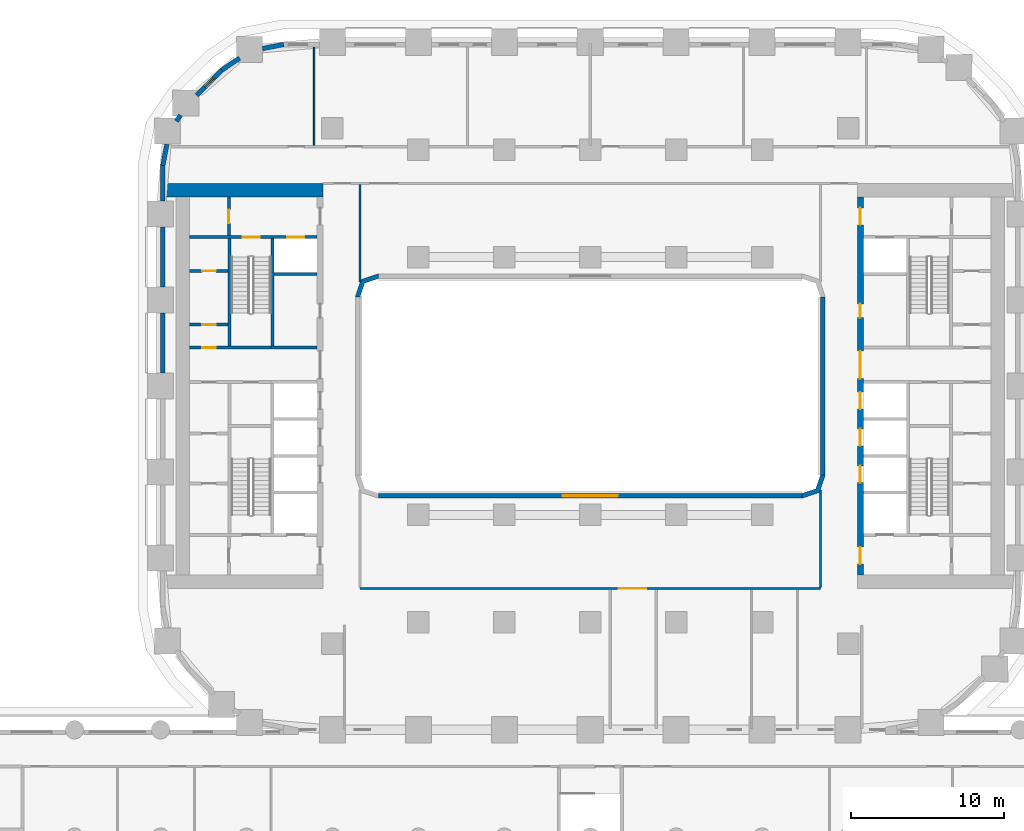
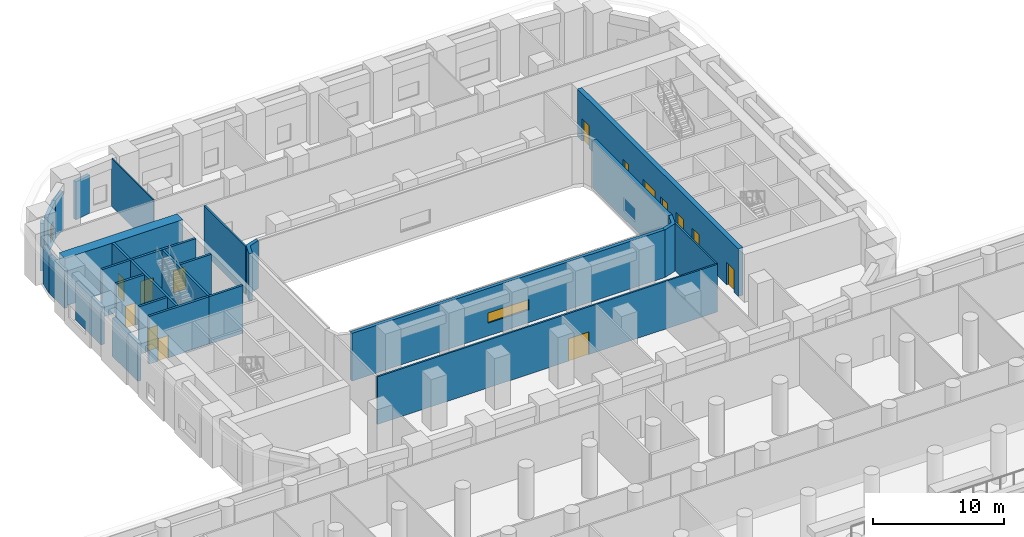
# One storey, part 11 of 24: 27 walls, 14 doors, 2 windows, 16 openings.
"""IFC4 building model written with IfcOpenShell, lengths in metres."""

from ifc_helpers import new_model, si_unit, direction, frame, frame_2d, origin, place, context, subcontext, project, spatial, polyline, rectangle, outline, extrude, material, layer, layer_set, type_object, element, fill, save


model = new_model("IFC4")

# Units and contexts
model_context = context("Model", 3, precision=1e-05, world=origin(), true_north=direction((0.0, 1.0)))
body_context = subcontext(model_context, "Body", "Model", "MODEL_VIEW")
ifc_project = project(units=[si_unit("LENGTHUNIT", "METRE"), si_unit("AREAUNIT", "SQUARE_METRE"), si_unit("VOLUMEUNIT", "CUBIC_METRE"), si_unit("PLANEANGLEUNIT", "RADIAN"), si_unit("MASSUNIT", "GRAM", prefix="KILO")], contexts=[model_context])

# Site, building, storey
site_placement = place(None, origin())
site = spatial("IfcSite", under=ifc_project, at=site_placement, CompositionType="ELEMENT")
building_placement = place(site_placement, origin())
building = spatial("IfcBuilding", under=site, at=building_placement, Name="Kiln Ring Residences", CompositionType="ELEMENT")
storey_placement = place(building_placement, frame((0.0, 0.0, 11.300048828125)))
storey = spatial("IfcBuildingStorey", under=building, at=storey_placement, Name="L02", CompositionType="ELEMENT", Elevation=11.300048828125)

# Wall, opening, door
ifc_material_1 = material(Name="Gypsum board on steel studs", Category="steel")
ifc_layer_1 = layer(ifc_material_1, 0.199951171875)
ifc_layer_set_1 = layer_set([ifc_layer_1], Name="CORE-PARTITION-200")
wall_type_1 = type_object("IfcWallType", Name="CORE-PARTITION-200", PredefinedType="PARTITIONING", material=ifc_layer_set_1)
wall_1_placement = place(storey_placement, frame((-23.550048828125, 9.800048828125, 0.0), z_axis=(0.0, 0.0, 1.0), x_axis=(0.0, 1.0, 0.0)))
wall_1 = element("IfcWall", 1, at=wall_1_placement, inside=storey, type_object=wall_type_1, Name="Core partition west L02 3", PredefinedType="PARTITIONING", context=body_context, shape_type="SweptSolid", body=[
    extrude(rectangle(XDim=2.5, YDim=0.199951171875, at=frame_2d((1.25, 0.0))), origin(), (0.0, 0.0, 1.0), 4.449951171875),
])
opening_1_placement = place(wall_1_placement, frame((0.800048828125, 0.0, 0.0)))
opening_1 = element("IfcOpeningElement", 2, at=opening_1_placement, cuts=wall_1, Name="Opening L02-CW09", PredefinedType="OPENING", context=body_context, shape_type="SweptSolid", body=[
    extrude(rectangle(XDim=0.89990234375, YDim=2.10009765625, at=frame_2d((0.449951171875, 1.050048828125))), frame((0.0, 0.10986328125, 0.0), z_axis=(0.0, -1.0, 0.0), x_axis=(1.0, 0.0, 0.0)), (0.0, 0.0, 1.0), 0.219970703125),
])
ifc_material_2 = material(Name="Steel door leaf", Category="steel")
door_type_1 = type_object("IfcDoorType", Name="CORE-DOOR-ROOM", OperationType="SINGLE_SWING_LEFT", PredefinedType="DOOR", material=ifc_material_2)
door_1_placement = place(opening_1_placement, origin())
door_1 = element("IfcDoor", 3, at=door_1_placement, inside=storey, type_object=door_type_1, Name="Fire riser room L02-CW09", OperationType="SINGLE_SWING_LEFT", OverallHeight=2.10009765625, OverallWidth=0.89990234375, PredefinedType="DOOR", context=body_context, shape_type="SweptSolid", body=[
    extrude(rectangle(XDim=0.89990234375, YDim=2.10009765625, at=frame_2d((0.449951171875, 1.050048828125))), frame((0.0, 0.02490234375, 0.0), z_axis=(0.0, -1.0, 0.0), x_axis=(1.0, 0.0, 0.0)), (0.0, 0.0, 1.0), 0.050048828125),
])
fill(opening_1, door_1)

wall_2_placement = place(storey_placement, frame((-23.60009765625, 4.0, 0.0), z_axis=(0.0, 0.0, 1.0), x_axis=(-1.0, 0.0, 0.0)))
wall_2 = element("IfcWall", 4, at=wall_2_placement, inside=storey, type_object=wall_type_1, Name="Core partition west L02 7", PredefinedType="PARTITIONING", context=body_context, shape_type="SweptSolid", body=[
    extrude(rectangle(XDim=2.5, YDim=0.199951171875, at=frame_2d((1.25, 0.0))), origin(), (0.0, 0.0, 1.0), 4.449951171875),
])
opening_2_placement = place(wall_2_placement, frame((0.800048828125, 0.0, 0.0)))
opening_2 = element("IfcOpeningElement", 5, at=opening_2_placement, cuts=wall_2, Name="Opening L02-CW18", PredefinedType="OPENING", context=body_context, shape_type="SweptSolid", body=[
    extrude(rectangle(XDim=0.89990234375, YDim=2.10009765625, at=frame_2d((0.449951171875, 1.050048828125))), frame((0.0, 0.10986328125, 0.0), z_axis=(0.0, -1.0, 0.0), x_axis=(1.0, 0.0, 0.0)), (0.0, 0.0, 1.0), 0.219970703125),
])
door_2_placement = place(opening_2_placement, origin())
door_2 = element("IfcDoor", 6, at=door_2_placement, inside=storey, type_object=door_type_1, Name="Electrical plant room L02-CW18", OperationType="SINGLE_SWING_LEFT", OverallHeight=2.10009765625, OverallWidth=0.89990234375, PredefinedType="DOOR", context=body_context, shape_type="SweptSolid", body=[
    extrude(rectangle(XDim=0.89990234375, YDim=2.10009765625, at=frame_2d((0.449951171875, 1.050048828125))), frame((0.0, 0.02490234375, 0.0), z_axis=(0.0, -1.0, 0.0), x_axis=(1.0, 0.0, 0.0)), (0.0, 0.0, 1.0), 0.050048828125),
])
fill(opening_2, door_2)

wall_3_placement = place(storey_placement, frame((-23.60009765625, 7.5, 0.0), z_axis=(0.0, 0.0, 1.0), x_axis=(-1.0, 0.0, 0.0)))
wall_3 = element("IfcWall", 7, at=wall_3_placement, inside=storey, type_object=wall_type_1, Name="Core partition west L02 8", PredefinedType="PARTITIONING", context=body_context, shape_type="SweptSolid", body=[
    extrude(rectangle(XDim=2.5, YDim=0.199951171875, at=frame_2d((1.25, 0.0))), origin(), (0.0, 0.0, 1.0), 4.449951171875),
])
opening_3_placement = place(wall_3_placement, frame((0.800048828125, 0.0, 0.0)))
opening_3 = element("IfcOpeningElement", 8, at=opening_3_placement, cuts=wall_3, Name="Opening L02-CW19", PredefinedType="OPENING", context=body_context, shape_type="SweptSolid", body=[
    extrude(rectangle(XDim=0.89990234375, YDim=2.10009765625, at=frame_2d((0.449951171875, 1.050048828125))), frame((0.0, 0.10986328125, 0.0), z_axis=(0.0, -1.0, 0.0), x_axis=(1.0, 0.0, 0.0)), (0.0, 0.0, 1.0), 0.219970703125),
])
door_3_placement = place(opening_3_placement, origin())
door_3 = element("IfcDoor", 9, at=door_3_placement, inside=storey, type_object=door_type_1, Name="UPS room L02-CW19", OperationType="SINGLE_SWING_RIGHT", OverallHeight=2.10009765625, OverallWidth=0.89990234375, PredefinedType="DOOR", context=body_context, shape_type="SweptSolid", body=[
    extrude(rectangle(XDim=0.89990234375, YDim=2.10009765625, at=frame_2d((0.449951171875, 1.050048828125))), frame((0.0, 0.02490234375, 0.0), z_axis=(0.0, -1.0, 0.0), x_axis=(1.0, 0.0, 0.0)), (0.0, 0.0, 1.0), 0.050048828125),
])
fill(opening_3, door_3)

# Walls
ifc_material_3 = material(Name="Gypsum shaft wall system")
ifc_layer_2 = layer(ifc_material_3, 0.199951171875)
ifc_layer_set_2 = layer_set([ifc_layer_2], Name="CORE-SHAFT-WALL-200")
wall_type_2 = type_object("IfcWallType", Name="CORE-SHAFT-WALL-200", PredefinedType="PARTITIONING", material=ifc_layer_set_2)
wall_4_placement = place(storey_placement, frame((-17.800048828125, 2.5, 0.0), z_axis=(0.0, 0.0, 1.0), x_axis=(-1.0, 0.0, 0.0)))
element("IfcWall", 10, at=wall_4_placement, inside=storey, type_object=wall_type_2, Name="Core partition west L02 13", PredefinedType="PARTITIONING", context=body_context, shape_type="SweptSolid", body=[
    extrude(rectangle(XDim=3.0, YDim=0.199951171875, at=frame_2d((1.5, 0.0))), origin(), (0.0, 0.0, 1.0), 4.449951171875),
])
wall_5_placement = place(storey_placement, frame((-17.800048828125, 7.300048828125, 0.0), z_axis=(0.0, 0.0, 1.0), x_axis=(-1.0, 0.0, 0.0)))
element("IfcWall", 11, at=wall_5_placement, inside=storey, type_object=wall_type_2, Name="Core partition west L02 14", PredefinedType="PARTITIONING", context=body_context, shape_type="SweptSolid", body=[
    extrude(rectangle(XDim=2.800048828125, YDim=0.199951171875, at=frame_2d((1.39990234375, 0.0))), origin(), (0.0, 0.0, 1.0), 4.449951171875),
])
ifc_material_4 = material(Name="Concrete C40/50", Category="concrete")
ifc_layer_3 = layer(ifc_material_4, 0.199951171875)
ifc_layer_set_3 = layer_set([ifc_layer_3], Name="CORE-WALL-RC200")
wall_type_3 = type_object("IfcWallType", Name="CORE-WALL-RC200", PredefinedType="SHEAR", material=ifc_layer_set_3)
wall_6_placement = place(storey_placement, frame((-20.699951171875, 2.60009765625, 0.0), z_axis=(0.0, 0.0, 1.0), x_axis=(0.0, 1.0, 0.0)))
element("IfcWall", 12, at=wall_6_placement, inside=storey, type_object=wall_type_3, Name="Core wall west L02 1", PredefinedType="SHEAR", context=body_context, shape_type="SweptSolid", body=[
    extrude(rectangle(XDim=7.0, YDim=0.199951171875, at=frame_2d((3.5, 0.0))), origin(), (0.0, 0.0, 1.0), 4.449951171875),
])

# Wall, opening, door
wall_7_placement = place(storey_placement, frame((-20.800048828125, 2.5, 0.0), z_axis=(0.0, 0.0, 1.0), x_axis=(-1.0, 0.0, 0.0)))
wall_7 = element("IfcWall", 13, at=wall_7_placement, inside=storey, type_object=wall_type_3, Name="Core wall west L02 3", PredefinedType="SHEAR", context=body_context, shape_type="SweptSolid", body=[
    extrude(rectangle(XDim=5.300048828125, YDim=0.199951171875, at=frame_2d((2.64990234375, 0.0))), origin(), (0.0, 0.0, 1.0), 4.449951171875),
])
opening_4_placement = place(wall_7_placement, frame((3.60009765625, 0.0, 0.0)))
opening_4 = element("IfcOpeningElement", 14, at=opening_4_placement, cuts=wall_7, Name="Opening L02-CW20", PredefinedType="OPENING", context=body_context, shape_type="SweptSolid", body=[
    extrude(rectangle(XDim=0.89990234375, YDim=2.10009765625, at=frame_2d((0.449951171875, 1.050048828125))), frame((0.0, 0.10986328125, 0.0), z_axis=(0.0, -1.0, 0.0), x_axis=(1.0, 0.0, 0.0)), (0.0, 0.0, 1.0), 0.219970703125),
])
door_4_placement = place(opening_4_placement, origin())
door_4 = element("IfcDoor", 15, at=door_4_placement, inside=storey, type_object=door_type_1, Name="Comms room L02-CW20", OperationType="SINGLE_SWING_LEFT", OverallHeight=2.10009765625, OverallWidth=0.89990234375, PredefinedType="DOOR", context=body_context, shape_type="SweptSolid", body=[
    extrude(rectangle(XDim=0.89990234375, YDim=2.10009765625, at=frame_2d((0.449951171875, 1.050048828125))), frame((0.0, 0.02490234375, 0.0), z_axis=(0.0, -1.0, 0.0), x_axis=(1.0, 0.0, 0.0)), (0.0, 0.0, 1.0), 0.050048828125),
])
fill(opening_4, door_4)

# Wall, openings, doors
wall_8_placement = place(storey_placement, frame((-17.800048828125, 9.699951171875, 0.0), z_axis=(0.0, 0.0, 1.0), x_axis=(-1.0, 0.0, 0.0)))
wall_8 = element("IfcWall", 16, at=wall_8_placement, inside=storey, type_object=wall_type_3, Name="Core wall west L02 9", PredefinedType="SHEAR", context=body_context, shape_type="SweptSolid", body=[
    extrude(rectangle(XDim=8.300048828125, YDim=0.199951171875, at=frame_2d((4.14990234375, 0.0))), origin(), (0.0, 0.0, 1.0), 4.449951171875),
])
opening_5_placement = place(wall_8_placement, frame((0.85009765625, 0.0, 0.0)))
opening_5 = element("IfcOpeningElement", 17, at=opening_5_placement, cuts=wall_8, Name="Opening L02-CW06", PredefinedType="OPENING", context=body_context, shape_type="SweptSolid", body=[
    extrude(rectangle(XDim=1.10009765625, YDim=2.10009765625, at=frame_2d((0.550048828125, 1.050048828125))), frame((0.0, 0.10986328125, 0.0), z_axis=(0.0, -1.0, 0.0), x_axis=(1.0, 0.0, 0.0)), (0.0, 0.0, 1.0), 0.219970703125),
])
opening_6_placement = place(wall_8_placement, frame((3.75, 0.0, 0.0)))
opening_6 = element("IfcOpeningElement", 18, at=opening_6_placement, cuts=wall_8, Name="Opening L02-CW11", PredefinedType="OPENING", context=body_context, shape_type="SweptSolid", body=[
    extrude(rectangle(XDim=1.10009765625, YDim=2.10009765625, at=frame_2d((0.550048828125, 1.050048828125))), frame((0.0, 0.10986328125, 0.0), z_axis=(0.0, -1.0, 0.0), x_axis=(1.0, 0.0, 0.0)), (0.0, 0.0, 1.0), 0.219970703125),
])
ifc_material_5 = material(Name="Steel door leaf", Category="steel")
door_type_2 = type_object("IfcDoorType", Name="CORE-DOOR-LD", OperationType="DOUBLE_DOOR_SLIDING", PredefinedType="DOOR", material=ifc_material_5)
door_5_placement = place(opening_5_placement, origin())
door_5 = element("IfcDoor", 19, at=door_5_placement, inside=storey, type_object=door_type_2, Name="LD W-FF L02-CW06", OperationType="DOUBLE_DOOR_SLIDING", OverallHeight=2.10009765625, OverallWidth=1.10009765625, PredefinedType="DOOR", context=body_context, shape_type="SweptSolid", body=[
    extrude(rectangle(XDim=1.10009765625, YDim=2.10009765625, at=frame_2d((0.550048828125, 1.050048828125))), frame((0.0, 0.02490234375, 0.0), z_axis=(0.0, -1.0, 0.0), x_axis=(1.0, 0.0, 0.0)), (0.0, 0.0, 1.0), 0.050048828125),
])
fill(opening_5, door_5)
ifc_material_6 = material(Name="Steel door leaf", Category="steel")
door_type_3 = type_object("IfcDoorType", Name="CORE-DOOR-STAIR", OperationType="SINGLE_SWING_LEFT", PredefinedType="DOOR", material=ifc_material_6)
door_6_placement = place(opening_6_placement, origin())
door_6 = element("IfcDoor", 20, at=door_6_placement, inside=storey, type_object=door_type_3, Name="Stair W-STN L02-CW11", OperationType="SINGLE_SWING_LEFT", OverallHeight=2.10009765625, OverallWidth=1.10009765625, PredefinedType="DOOR", context=body_context, shape_type="SweptSolid", body=[
    extrude(rectangle(XDim=1.10009765625, YDim=2.10009765625, at=frame_2d((0.550048828125, 1.050048828125))), frame((0.0, 0.02490234375, 0.0), z_axis=(0.0, -1.0, 0.0), x_axis=(1.0, 0.0, 0.0)), (0.0, 0.0, 1.0), 0.050048828125),
])
fill(opening_6, door_6)

# Wall
wall_9_placement = place(storey_placement, frame((-23.5, 2.60009765625, 0.0), z_axis=(0.0, 0.0, 1.0), x_axis=(0.0, 1.0, 0.0)))
element("IfcWall", 21, at=wall_9_placement, inside=storey, type_object=wall_type_3, Name="Core wall west L02 10", PredefinedType="SHEAR", context=body_context, shape_type="SweptSolid", body=[
    extrude(rectangle(XDim=7.0, YDim=0.199951171875, at=frame_2d((3.5, 0.0))), origin(), (0.0, 0.0, 1.0), 4.449951171875),
])

# Wall, openings, doors
ifc_material_7 = material(Name="Concrete C60/75", Category="concrete")
ifc_layer_4 = layer(ifc_material_7, 0.39990234375)
ifc_layer_set_4 = layer_set([ifc_layer_4], Name="CORE-WALL-RC400")
wall_type_4 = type_object("IfcWallType", Name="CORE-WALL-RC400", PredefinedType="SHEAR", material=ifc_layer_set_4)
wall_10_placement = place(storey_placement, frame((17.60009765625, -12.300048828125, 0.0), z_axis=(0.0, 0.0, 1.0), x_axis=(0.0, 1.0, 0.0)))
wall_10 = element("IfcWall", 22, at=wall_10_placement, inside=storey, type_object=wall_type_4, Name="Core wall east L02 6", PredefinedType="SHEAR", context=body_context, shape_type="SweptSolid", body=[
    extrude(rectangle(XDim=24.60009765625, YDim=0.39990234375, at=frame_2d((12.300048828125, 0.0))), origin(), (0.0, 0.0, 1.0), 4.449951171875),
])
opening_7_placement = place(wall_10_placement, frame((6.0, 0.0, 0.0)))
opening_7 = element("IfcOpeningElement", 23, at=opening_7_placement, cuts=wall_10, Name="Opening L02-CE02", PredefinedType="OPENING", context=body_context, shape_type="SweptSolid", body=[
    extrude(rectangle(XDim=1.10009765625, YDim=2.10009765625, at=frame_2d((0.550048828125, 1.050048828125))), frame((0.0, 0.2099609375, 0.0), z_axis=(0.0, -1.0, 0.0), x_axis=(1.0, 0.0, 0.0)), (0.0, 0.0, 1.0), 0.419921875),
])
opening_8_placement = place(wall_10_placement, frame((8.39990234375, 0.0, 0.0)))
opening_8 = element("IfcOpeningElement", 24, at=opening_8_placement, cuts=wall_10, Name="Opening L02-CE03", PredefinedType="OPENING", context=body_context, shape_type="SweptSolid", body=[
    extrude(rectangle(XDim=1.10009765625, YDim=2.10009765625, at=frame_2d((0.550048828125, 1.050048828125))), frame((0.0, 0.2099609375, 0.0), z_axis=(0.0, -1.0, 0.0), x_axis=(1.0, 0.0, 0.0)), (0.0, 0.0, 1.0), 0.419921875),
])
opening_9_placement = place(wall_10_placement, frame((10.800048828125, 0.0, 0.0)))
opening_9 = element("IfcOpeningElement", 25, at=opening_9_placement, cuts=wall_10, Name="Opening L02-CE04", PredefinedType="OPENING", context=body_context, shape_type="SweptSolid", body=[
    extrude(rectangle(XDim=1.10009765625, YDim=2.10009765625, at=frame_2d((0.550048828125, 1.050048828125))), frame((0.0, 0.2099609375, 0.0), z_axis=(0.0, -1.0, 0.0), x_axis=(1.0, 0.0, 0.0)), (0.0, 0.0, 1.0), 0.419921875),
])
opening_10_placement = place(wall_10_placement, frame((16.75, 0.0, 0.0)))
opening_10 = element("IfcOpeningElement", 26, at=opening_10_placement, cuts=wall_10, Name="Opening L02-CE05", PredefinedType="OPENING", context=body_context, shape_type="SweptSolid", body=[
    extrude(rectangle(XDim=0.89990234375, YDim=2.10009765625, at=frame_2d((0.449951171875, 1.050048828125))), frame((0.0, 0.2099609375, 0.0), z_axis=(0.0, -1.0, 0.0), x_axis=(1.0, 0.0, 0.0)), (0.0, 0.0, 1.0), 0.419921875),
])
opening_11_placement = place(wall_10_placement, frame((22.800048828125, 0.0, 0.0)))
opening_11 = element("IfcOpeningElement", 27, at=opening_11_placement, cuts=wall_10, Name="Opening L02-CE07", PredefinedType="OPENING", context=body_context, shape_type="SweptSolid", body=[
    extrude(rectangle(XDim=1.10009765625, YDim=2.10009765625, at=frame_2d((0.550048828125, 1.050048828125))), frame((0.0, 0.2099609375, 0.0), z_axis=(0.0, -1.0, 0.0), x_axis=(1.0, 0.0, 0.0)), (0.0, 0.0, 1.0), 0.419921875),
])
opening_12_placement = place(wall_10_placement, frame((0.699951171875, 0.0, 0.0)))
opening_12 = element("IfcOpeningElement", 28, at=opening_12_placement, cuts=wall_10, Name="Opening L02-CE08", PredefinedType="OPENING", context=body_context, shape_type="SweptSolid", body=[
    extrude(rectangle(XDim=1.10009765625, YDim=2.10009765625, at=frame_2d((0.550048828125, 1.050048828125))), frame((0.0, 0.2099609375, 0.0), z_axis=(0.0, -1.0, 0.0), x_axis=(1.0, 0.0, 0.0)), (0.0, 0.0, 1.0), 0.419921875),
])
opening_13_placement = place(wall_10_placement, frame((12.77490234375, 0.0, 0.0)))
opening_13 = element("IfcOpeningElement", 29, at=opening_13_placement, cuts=wall_10, Name="Opening L02-CE13", PredefinedType="OPENING", context=body_context, shape_type="SweptSolid", body=[
    extrude(rectangle(XDim=1.800048828125, YDim=2.10009765625, at=frame_2d((0.89990234375, 1.050048828125))), frame((0.0, 0.2099609375, 0.0), z_axis=(0.0, -1.0, 0.0), x_axis=(1.0, 0.0, 0.0)), (0.0, 0.0, 1.0), 0.419921875),
])
door_7_placement = place(opening_7_placement, origin())
door_7 = element("IfcDoor", 30, at=door_7_placement, inside=storey, type_object=door_type_2, Name="LD E-L1 L02-CE02", OperationType="DOUBLE_DOOR_SLIDING", OverallHeight=2.10009765625, OverallWidth=1.10009765625, PredefinedType="DOOR", context=body_context, shape_type="SweptSolid", body=[
    extrude(rectangle(XDim=1.10009765625, YDim=2.10009765625, at=frame_2d((0.550048828125, 1.050048828125))), frame((0.0, 0.02490234375, 0.0), z_axis=(0.0, -1.0, 0.0), x_axis=(1.0, 0.0, 0.0)), (0.0, 0.0, 1.0), 0.050048828125),
])
fill(opening_7, door_7)
door_8_placement = place(opening_8_placement, origin())
door_8 = element("IfcDoor", 31, at=door_8_placement, inside=storey, type_object=door_type_2, Name="LD E-L2 L02-CE03", OperationType="DOUBLE_DOOR_SLIDING", OverallHeight=2.10009765625, OverallWidth=1.10009765625, PredefinedType="DOOR", context=body_context, shape_type="SweptSolid", body=[
    extrude(rectangle(XDim=1.10009765625, YDim=2.10009765625, at=frame_2d((0.550048828125, 1.050048828125))), frame((0.0, 0.02490234375, 0.0), z_axis=(0.0, -1.0, 0.0), x_axis=(1.0, 0.0, 0.0)), (0.0, 0.0, 1.0), 0.050048828125),
])
fill(opening_8, door_8)
door_9_placement = place(opening_9_placement, origin())
door_9 = element("IfcDoor", 32, at=door_9_placement, inside=storey, type_object=door_type_2, Name="LD E-L3 L02-CE04", OperationType="DOUBLE_DOOR_SLIDING", OverallHeight=2.10009765625, OverallWidth=1.10009765625, PredefinedType="DOOR", context=body_context, shape_type="SweptSolid", body=[
    extrude(rectangle(XDim=1.10009765625, YDim=2.10009765625, at=frame_2d((0.550048828125, 1.050048828125))), frame((0.0, 0.02490234375, 0.0), z_axis=(0.0, -1.0, 0.0), x_axis=(1.0, 0.0, 0.0)), (0.0, 0.0, 1.0), 0.050048828125),
])
fill(opening_9, door_9)
ifc_material_8 = material(Name="Steel door leaf", Category="steel")
door_type_4 = type_object("IfcDoorType", Name="CORE-DOOR-LOBBY", OperationType="SINGLE_SWING_LEFT", PredefinedType="DOOR", material=ifc_material_8)
door_10_placement = place(opening_11_placement, origin())
door_10 = element("IfcDoor", 33, at=door_10_placement, inside=storey, type_object=door_type_4, Name="FFL L02-CE07", OperationType="SINGLE_SWING_LEFT", OverallHeight=2.10009765625, OverallWidth=1.10009765625, PredefinedType="DOOR", context=body_context, shape_type="SweptSolid", body=[
    extrude(rectangle(XDim=1.10009765625, YDim=2.10009765625, at=frame_2d((0.550048828125, 1.050048828125))), frame((0.0, 0.02490234375, 0.0), z_axis=(0.0, -1.0, 0.0), x_axis=(1.0, 0.0, 0.0)), (0.0, 0.0, 1.0), 0.050048828125),
])
fill(opening_11, door_10)
door_11_placement = place(opening_12_placement, origin())
door_11 = element("IfcDoor", 34, at=door_11_placement, inside=storey, type_object=door_type_4, Name="SVL L02-CE08", OperationType="SINGLE_SWING_RIGHT", OverallHeight=2.10009765625, OverallWidth=1.10009765625, PredefinedType="DOOR", context=body_context, shape_type="SweptSolid", body=[
    extrude(rectangle(XDim=1.10009765625, YDim=2.10009765625, at=frame_2d((0.550048828125, 1.050048828125))), frame((0.0, 0.02490234375, 0.0), z_axis=(0.0, -1.0, 0.0), x_axis=(1.0, 0.0, 0.0)), (0.0, 0.0, 1.0), 0.050048828125),
])
fill(opening_12, door_11)
ifc_material_9 = material(Name="Steel door leaf", Category="steel")
door_type_5 = type_object("IfcDoorType", Name="CORE-DOOR-PASS", OperationType="DOUBLE_DOOR_SINGLE_SWING", PredefinedType="DOOR", material=ifc_material_9)
door_12_placement = place(opening_13_placement, origin())
door_12 = element("IfcDoor", 35, at=door_12_placement, inside=storey, type_object=door_type_5, Name="Core passage L02-CE13", OperationType="DOUBLE_DOOR_SINGLE_SWING", OverallHeight=2.10009765625, OverallWidth=1.800048828125, PredefinedType="DOOR", context=body_context, shape_type="SweptSolid", body=[
    extrude(rectangle(XDim=1.800048828125, YDim=2.10009765625, at=frame_2d((0.89990234375, 1.050048828125))), frame((0.0, 0.02490234375, 0.0), z_axis=(0.0, -1.0, 0.0), x_axis=(1.0, 0.0, 0.0)), (0.0, 0.0, 1.0), 0.050048828125),
])
fill(opening_13, door_12)
door_13_placement = place(opening_10_placement, origin())
door_13 = element("IfcDoor", 36, at=door_13_placement, inside=storey, type_object=door_type_1, Name="Housekeeping store L02-CE05", OperationType="SINGLE_SWING_RIGHT", OverallHeight=2.10009765625, OverallWidth=0.89990234375, PredefinedType="DOOR", context=body_context, shape_type="SweptSolid", body=[
    extrude(rectangle(XDim=0.89990234375, YDim=2.10009765625, at=frame_2d((0.449951171875, 1.050048828125))), frame((0.0, 0.02490234375, 0.0), z_axis=(0.0, -1.0, 0.0), x_axis=(1.0, 0.0, 0.0)), (0.0, 0.0, 1.0), 0.050048828125),
])
fill(opening_10, door_13)

# Walls
ifc_material_10 = material(Name="Concrete C60/75", Category="concrete")
ifc_layer_5 = layer(ifc_material_10, 0.89990234375)
ifc_layer_set_5 = layer_set([ifc_layer_5], Name="CORE-WALL-RC900")
wall_type_5 = type_object("IfcWallType", Name="CORE-WALL-RC900", PredefinedType="SHEAR", material=ifc_layer_set_5)
wall_11_placement = place(storey_placement, frame((-17.39990234375, 12.75, 0.0), z_axis=(0.0, 0.0, 1.0), x_axis=(-1.0, 0.0, 0.0)))
element("IfcWall", 37, at=wall_11_placement, inside=storey, type_object=wall_type_5, Name="Core wall west L02 4", PredefinedType="SHEAR", context=body_context, shape_type="SweptSolid", body=[
    extrude(rectangle(XDim=10.400146484375, YDim=0.89990234375, at=frame_2d((5.2001953125, 0.0))), origin(), (0.0, 0.0, 1.0), 4.449951171875),
])
ifc_material_11 = material(Name="Brick masonry, dark clay brick", Category="masonry")
ifc_layer_6 = layer(ifc_material_11, 0.300048828125)
ifc_layer_set_6 = layer_set([ifc_layer_6], Name="EW-300 BRICK WALL")
wall_type_6 = type_object("IfcWallType", Name="EW-300 BRICK WALL", PredefinedType="SOLIDWALL", material=ifc_layer_set_6)
for number, where, z_axis, x_axis, name in (
    (38, (-19.971923828125, 22.252685546875, 0.0), (0.0, 0.0, 1.0), (-0.98229142023, -0.187359455971, 0.0), "Facade wall L02 34"),
    (39, (-22.849853515625, 21.369140625, 0.0), (0.0, 0.0, 1.0), (-0.827075041075, -0.562091519622, 0.0), "Facade wall L02 35"),
):
    element("IfcWall", number, at=place(storey_placement, frame(where, z_axis=z_axis, x_axis=x_axis)), inside=storey, type_object=wall_type_6, Name=name, PredefinedType="SOLIDWALL", context=body_context, shape_type="SweptSolid", body=[
        extrude(rectangle(XDim=1.406005859375, YDim=0.300048828125, at=frame_2d((0.703125, 0.0))), origin(), (0.0, 0.0, 1.0), 3.550048828125),
    ])

# Wall, opening, window
wall_12_placement = place(storey_placement, frame((-23.990966796875, 20.596923828125, 0.0), z_axis=(0.0, 0.0, 1.0), x_axis=(-0.707054835785, -0.707158722772, 0.0)))
wall_12 = element("IfcWall", 40, at=wall_12_placement, inside=storey, type_object=wall_type_6, Name="Facade wall L02 36", PredefinedType="SOLIDWALL", context=body_context, shape_type="SweptSolid", body=[
    extrude(rectangle(XDim=2.35009765625, YDim=0.300048828125, at=frame_2d((1.175048828125, 0.0))), origin(), (0.0, 0.0, 1.0), 3.550048828125),
])
opening_14_placement = place(wall_12_placement, frame((0.77490234375, 0.0, 0.60009765625)))
opening_14 = element("IfcOpeningElement", 41, at=opening_14_placement, cuts=wall_12, Name="Opening W5", PredefinedType="OPENING", context=body_context, shape_type="SweptSolid", body=[
    extrude(rectangle(XDim=0.800048828125, YDim=1.550048828125, at=frame_2d((0.39990234375, 0.77490234375))), frame((0.0, 0.159912109375, 0.0), z_axis=(0.0, -1.0, 0.0), x_axis=(1.0, 0.0, 0.0)), (0.0, 0.0, 1.0), 0.320068359375),
])
ifc_material_12 = material(Name="Aluminium frame with double glazing", Category="aluminium")
window_type_1 = type_object("IfcWindowType", Name="WINDOW 800 x 1550", PartitioningType="SINGLE_PANEL", PredefinedType="WINDOW", material=ifc_material_12)
window_1_placement = place(opening_14_placement, origin())
window_1 = element("IfcWindow", 42, at=window_1_placement, inside=storey, type_object=window_type_1, Name="Window L02 21", OverallHeight=1.550048828125, OverallWidth=0.800048828125, PartitioningType="SINGLE_PANEL", PredefinedType="WINDOW", context=body_context, shape_type="SweptSolid", body=[
    extrude(rectangle(XDim=0.800048828125, YDim=1.550048828125, at=frame_2d((0.39990234375, 0.77490234375))), frame((0.0, 0.030029296875, 0.0), z_axis=(0.0, -1.0, 0.0), x_axis=(1.0, 0.0, 0.0)), (0.0, 0.0, 1.0), 0.06005859375),
])
fill(opening_14, window_1)

# Walls
wall_13_placement = place(storey_placement, frame((-26.701171875, 17.644287109375, 0.0), z_axis=(0.0, 0.0, 1.0), x_axis=(-0.562001981492, -0.827135885329, 0.0)))
element("IfcWall", 43, at=wall_13_placement, inside=storey, type_object=wall_type_6, Name="Facade wall L02 37", PredefinedType="SOLIDWALL", context=body_context, shape_type="SweptSolid", body=[
    extrude(rectangle(XDim=0.47705078125, YDim=0.300048828125, at=frame_2d((0.238525390625, 0.0))), origin(), (0.0, 0.0, 1.0), 4.449951171875),
])
wall_14_placement = place(storey_placement, frame((-27.589111328125, 15.753173828125, 0.0), z_axis=(0.0, 0.0, 1.0), x_axis=(-0.187327504018, -0.982297514116, 0.0)))
element("IfcWall", 44, at=wall_14_placement, inside=storey, type_object=wall_type_6, Name="Facade wall L02 38", PredefinedType="SOLIDWALL", context=body_context, shape_type="SweptSolid", body=[
    extrude(rectangle(XDim=1.40625, YDim=0.300048828125, at=frame_2d((0.703125, 0.0))), origin(), (0.0, 0.0, 1.0), 3.550048828125),
])
wall_15_placement = place(storey_placement, frame((-27.85009765625, 14.39990234375, 0.0), z_axis=(0.0, 0.0, 1.0), x_axis=(0.0, -1.0, 0.0)))
element("IfcWall", 45, at=wall_15_placement, inside=storey, type_object=wall_type_6, Name="Facade wall L02 39", PredefinedType="SOLIDWALL", context=body_context, shape_type="SweptSolid", body=[
    extrude(rectangle(XDim=2.349853515625, YDim=0.300048828125, at=frame_2d((1.1748046875, 0.0))), origin(), (0.0, 0.0, 1.0), 3.550048828125),
])
wall_16_placement = place(storey_placement, frame((-27.85009765625, 10.35009765625, 0.0), z_axis=(0.0, 0.0, 1.0), x_axis=(0.0, -1.0, 0.0)))
element("IfcWall", 46, at=wall_16_placement, inside=storey, type_object=wall_type_6, Name="Facade wall L02 40", PredefinedType="SOLIDWALL", context=body_context, shape_type="SweptSolid", body=[
    extrude(rectangle(XDim=3.900146484375, YDim=0.300048828125, at=frame_2d((1.9501953125, 0.0))), origin(), (0.0, 0.0, 1.0), 3.550048828125),
])
wall_17_placement = place(storey_placement, frame((-27.85009765625, 4.75, 0.0), z_axis=(0.0, 0.0, 1.0), x_axis=(0.0, -1.0, 0.0)))
element("IfcWall", 47, at=wall_17_placement, inside=storey, type_object=wall_type_6, Name="Facade wall L02 41", PredefinedType="SOLIDWALL", context=body_context, shape_type="SweptSolid", body=[
    extrude(rectangle(XDim=3.89990234375, YDim=0.300048828125, at=frame_2d((1.949951171875, 0.0))), origin(), (0.0, 0.0, 1.0), 3.550048828125),
])
wall_18_placement = place(storey_placement, frame((15.14990234375, 5.800048828125, 0.0), z_axis=(0.0, 0.0, 1.0), x_axis=(0.0, -1.0, 0.0)))
element("IfcWall", 48, at=wall_18_placement, inside=storey, type_object=wall_type_6, Name="Facade wall L02 77", PredefinedType="SOLIDWALL", context=body_context, shape_type="SweptSolid", body=[
    extrude(rectangle(XDim=11.60009765625, YDim=0.300048828125, at=frame_2d((5.800048828125, 0.0))), origin(), (0.0, 0.0, 1.0), 4.449951171875),
])

# Wall, opening, window
wall_19_placement = place(storey_placement, frame((13.800048828125, -7.14990234375, 0.0), z_axis=(0.0, 0.0, 1.0), x_axis=(-1.0, 0.0, 0.0)))
wall_19 = element("IfcWall", 49, at=wall_19_placement, inside=storey, type_object=wall_type_6, Name="Facade wall L02 78", PredefinedType="SOLIDWALL", context=body_context, shape_type="SweptSolid", body=[
    extrude(rectangle(XDim=27.60009765625, YDim=0.300048828125, at=frame_2d((13.800048828125, 0.0))), origin(), (0.0, 0.0, 1.0), 4.449951171875),
])
opening_15_placement = place(wall_19_placement, frame((12.0, 0.0, 1.199951171875)))
opening_15 = element("IfcOpeningElement", 50, at=opening_15_placement, cuts=wall_19, Name="Opening W4", PredefinedType="OPENING", context=body_context, shape_type="SweptSolid", body=[
    extrude(rectangle(XDim=3.60009765625, YDim=0.949951171875, at=frame_2d((1.800048828125, 0.47509765625))), frame((0.0, 0.159912109375, 0.0), z_axis=(0.0, -1.0, 0.0), x_axis=(1.0, 0.0, 0.0)), (0.0, 0.0, 1.0), 0.320068359375),
])
ifc_material_13 = material(Name="Aluminium frame with double glazing", Category="aluminium")
window_type_2 = type_object("IfcWindowType", Name="WINDOW 3600 x 950", PartitioningType="SINGLE_PANEL", PredefinedType="WINDOW", material=ifc_material_13)
window_2_placement = place(opening_15_placement, origin())
window_2 = element("IfcWindow", 51, at=window_2_placement, inside=storey, type_object=window_type_2, Name="Window L02 48", OverallHeight=0.949951171875, OverallWidth=3.60009765625, PartitioningType="SINGLE_PANEL", PredefinedType="WINDOW", context=body_context, shape_type="SweptSolid", body=[
    extrude(rectangle(XDim=3.60009765625, YDim=0.949951171875, at=frame_2d((1.800048828125, 0.47509765625))), frame((0.0, 0.030029296875, 0.0), z_axis=(0.0, -1.0, 0.0), x_axis=(1.0, 0.0, 0.0)), (0.0, 0.0, 1.0), 0.06005859375),
])
fill(opening_15, window_2)

# Walls
placement = place(storey_placement, origin())
element("IfcWall", 52, at=placement, inside=storey, type_object=wall_type_6, Name="Corner wall L02 3", PredefinedType="SOLIDWALL", context=body_context, shape_type="SweptSolid", body=[
    extrude(outline(polyline([(-13.8486328125, 7.300048828125), (-14.937255859375, 6.937255859375), (-15.300048828125, 5.8486328125), (-15.300048828125, 5.800048828125), (-15.0, 5.800048828125), (-14.699951171875, 6.699951171875), (-13.800048828125, 7.0), (-13.800048828125, 7.300048828125), (-13.8486328125, 7.300048828125)])), origin(), (0.0, 0.0, 1.0), 4.449951171875),
])
element("IfcWall", 53, at=placement, inside=storey, type_object=wall_type_6, Name="Corner wall L02 5", PredefinedType="SOLIDWALL", context=body_context, shape_type="SweptSolid", body=[
    extrude(outline(polyline([(14.937255859375, -6.937255859375), (15.300048828125, -5.8486328125), (15.300048828125, -5.800048828125), (15.0, -5.800048828125), (14.699951171875, -6.699951171875), (13.800048828125, -7.0), (13.800048828125, -7.300048828125), (13.8486328125, -7.300048828125), (14.937255859375, -6.937255859375)])), origin(), (0.0, 0.0, 1.0), 4.449951171875),
])
ifc_material_14 = material(Name="Gypsum board on steel studs", Category="steel")
ifc_layer_7 = layer(ifc_material_14, 0.10009765625)
ifc_layer_set_7 = layer_set([ifc_layer_7], Name="PARTITION-100")
wall_type_7 = type_object("IfcWallType", Name="PARTITION-100", PredefinedType="PARTITIONING", material=ifc_layer_set_7)
wall_22_placement = place(storey_placement, frame((-18.0, 15.675048828125, 0.0), z_axis=(0.0, 0.0, 1.0), x_axis=(0.0, 1.0, 0.0)))
element("IfcWall", 54, at=wall_22_placement, inside=storey, type_object=wall_type_7, Name="Partition 022", PredefinedType="PARTITIONING", context=body_context, shape_type="SweptSolid", body=[
    extrude(rectangle(XDim=6.405029296875, YDim=0.10009765625, at=frame_2d((3.20263671875, 0.0))), origin(), (0.0, 0.0, 1.0), 4.449951171875),
])

# Wall, opening, door
ifc_material_15 = material(Name="Brick masonry partition", Category="masonry")
ifc_layer_8 = layer(ifc_material_15, 0.14990234375)
ifc_layer_set_8 = layer_set([ifc_layer_8], Name="PARTITION-150-ei60")
wall_type_8 = type_object("IfcWallType", Name="PARTITION-150-ei60", PredefinedType="PARTITIONING", material=ifc_layer_set_8)
wall_23_placement = place(storey_placement, frame((-15.0048828125, -13.199951171875, 0.0), z_axis=(0.0, 0.0, 1.0), x_axis=(1.0, 0.0, 0.0)))
wall_23 = element("IfcWall", 55, at=wall_23_placement, inside=storey, type_object=wall_type_8, Name="Partition 014", PredefinedType="PARTITIONING", context=body_context, shape_type="SweptSolid", body=[
    extrude(rectangle(XDim=30.009765625, YDim=0.14990234375, at=frame_2d((15.0048828125, 0.0))), origin(), (0.0, 0.0, 1.0), 4.449951171875),
])
opening_16_placement = place(wall_23_placement, frame((16.85498046875, 0.0, 0.0)))
opening_16 = element("IfcOpeningElement", 56, at=opening_16_placement, cuts=wall_23, Name="Opening L02-D004", PredefinedType="OPENING", context=body_context, shape_type="SweptSolid", body=[
    extrude(rectangle(XDim=1.800048828125, YDim=2.10009765625, at=frame_2d((0.89990234375, 1.050048828125))), frame((0.0, 0.0849609375, 0.0), z_axis=(0.0, -1.0, 0.0), x_axis=(1.0, 0.0, 0.0)), (0.0, 0.0, 1.0), 0.169921875),
])
ifc_material_16 = material(Name="Steel faced fire door leaf", Category="steel")
door_type_6 = type_object("IfcDoorType", Name="FLAT-DOOR-1800-FR", OperationType="SINGLE_SWING_LEFT", PredefinedType="DOOR", material=ifc_material_16)
door_14_placement = place(opening_16_placement, origin())
door_14 = element("IfcDoor", 57, at=door_14_placement, inside=storey, type_object=door_type_6, Name="Door L02-D004", OperationType="SINGLE_SWING_RIGHT", OverallHeight=2.10009765625, OverallWidth=1.800048828125, PredefinedType="DOOR", context=body_context, shape_type="SweptSolid", body=[
    extrude(rectangle(XDim=1.800048828125, YDim=2.10009765625, at=frame_2d((0.89990234375, 1.050048828125))), frame((0.0, 0.02490234375, 0.0), z_axis=(0.0, -1.0, 0.0), x_axis=(1.0, 0.0, 0.0)), (0.0, 0.0, 1.0), 0.050048828125),
])
fill(opening_16, door_14)

# Walls
for number, where, z_axis, x_axis, name in (
    (58, (-15.0, 6.768798828125, 0.0), (0.0, 0.0, 1.0), (0.0, 1.0, 0.0), "Partition 025"),
    (59, (15.0, -13.125, 0.0), (0.0, 0.0, 1.0), (0.0, 1.0, 0.0), "Partition 036"),
):
    element("IfcWall", number, at=place(storey_placement, frame(where, z_axis=z_axis, x_axis=x_axis)), inside=storey, type_object=wall_type_8, Name=name, PredefinedType="PARTITIONING", context=body_context, shape_type="SweptSolid", body=[
        extrude(rectangle(XDim=6.356201171875, YDim=0.14990234375, at=frame_2d((3.17822265625, 0.0))), origin(), (0.0, 0.0, 1.0), 4.449951171875),
    ])

save(model, "model.ifc")
